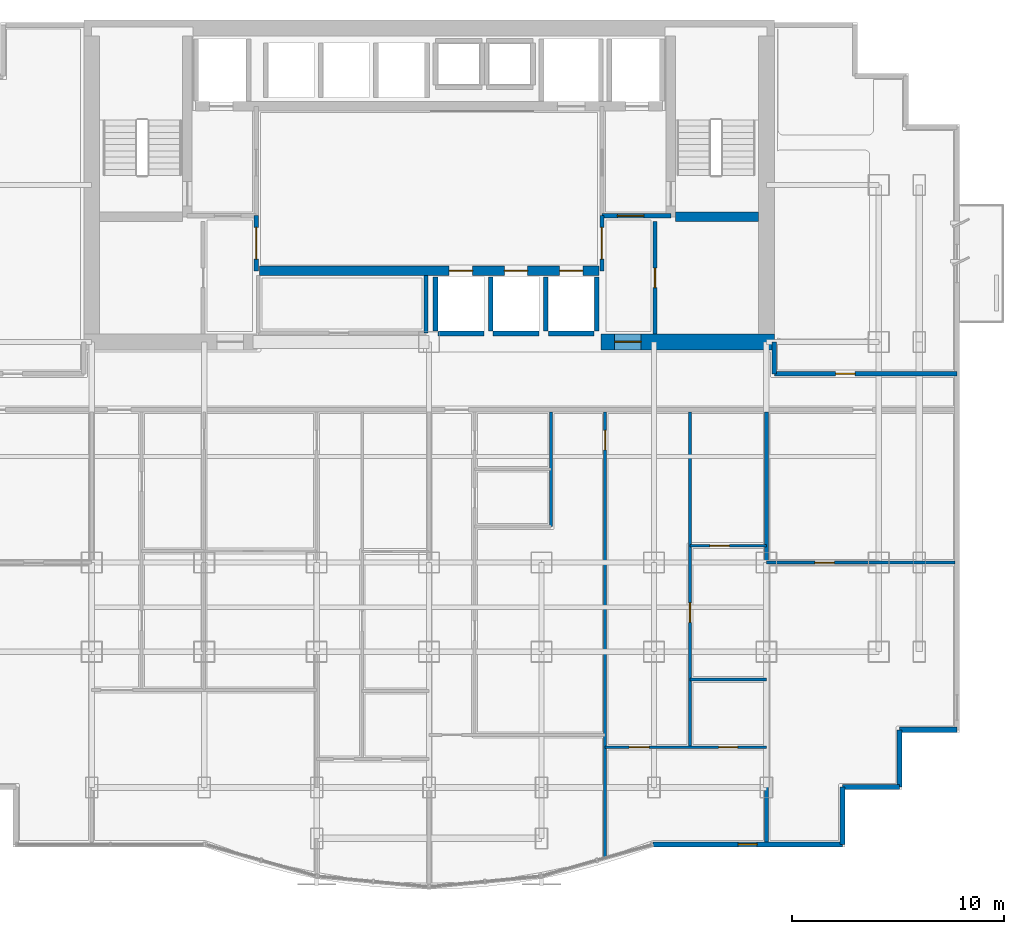
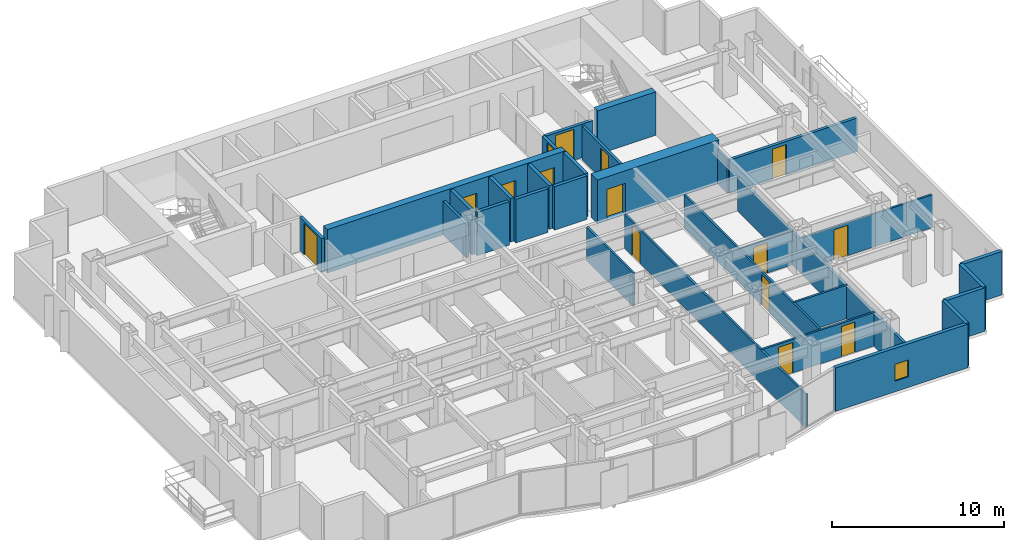
# One storey, part 6 of 10: 30 walls, 15 doors, 1 window, 16 openings.
"""IFC4 building model written with IfcOpenShell, lengths in metres."""

from ifc_helpers import new_model, si_unit, direction, frame, frame_2d, origin, place, context, subcontext, project, spatial, rectangle, extrude, material, layer, layer_set, type_object, element, fill, save


model = new_model("IFC4")

# Units and contexts
model_context = context("Model", 3, precision=1e-05, world=origin(), true_north=direction((0.0, 1.0)))
body_context = subcontext(model_context, "Body", "Model", "MODEL_VIEW")
ifc_project = project(units=[si_unit("LENGTHUNIT", "METRE"), si_unit("AREAUNIT", "SQUARE_METRE"), si_unit("VOLUMEUNIT", "CUBIC_METRE"), si_unit("PLANEANGLEUNIT", "RADIAN"), si_unit("MASSUNIT", "GRAM", prefix="KILO")], contexts=[model_context])

# Site, building, storey
site_placement = place(None, origin())
site = spatial("IfcSite", under=ifc_project, at=site_placement, CompositionType="ELEMENT")
building_placement = place(site_placement, origin())
building = spatial("IfcBuilding", under=site, at=building_placement, Name="Qianlan Lanfeng Residences", CompositionType="ELEMENT")
storey_placement = place(building_placement, frame((0.0, 0.0, 98.199951171875)))
storey = spatial("IfcBuildingStorey", under=building, at=storey_placement, Name="L26", CompositionType="ELEMENT", Elevation=98.199951171875)

# Wall
ifc_material_1 = material(Name="Concrete C60", Category="concrete")
ifc_layer_1 = layer(ifc_material_1, 0.449951171875)
ifc_layer_set_1 = layer_set([ifc_layer_1], Name="Concrete C60")
wall_type_1 = type_object("IfcWallType", Name="CW-RC-450", PredefinedType="SHEAR", material=ifc_layer_set_1)
wall_1_placement = place(storey_placement, frame((38.125, 31.10009765625, 0.0), z_axis=(0.0, 0.0, 1.0), x_axis=(1.0, 0.0, 0.0)))
element("IfcWall", 1, at=wall_1_placement, inside=storey, type_object=wall_type_1, Name="L26 Core Shear Wall ST2S", PredefinedType="SHEAR", context=body_context, shape_type="SweptSolid", body=[
    extrude(rectangle(XDim=3.89990234375, YDim=0.449951171875, at=frame_2d((1.949951171875, 0.0))), origin(), (0.0, 0.0, 1.0), 3.090087890625),
])

# Wall, openings, doors
wall_2_placement = place(storey_placement, frame((18.5, 28.550048828125, 0.0), z_axis=(0.0, 0.0, 1.0), x_axis=(1.0, 0.0, 0.0)))
wall_2 = element("IfcWall", 2, at=wall_2_placement, inside=storey, type_object=wall_type_1, Name="L26 Core Shear Wall LBS", PredefinedType="SHEAR", context=body_context, shape_type="SweptSolid", body=[
    extrude(rectangle(XDim=16.0, YDim=0.449951171875, at=frame_2d((8.0, 0.0))), origin(), (0.0, 0.0, 1.0), 3.090087890625),
])
opening_1_placement = place(wall_2_placement, frame((8.949951171875, 0.0, 0.0)))
opening_1 = element("IfcOpeningElement", 3, at=opening_1_placement, cuts=wall_2, Name="Opening L26-LD-PL-M1", PredefinedType="OPENING", context=body_context, shape_type="SweptSolid", body=[
    extrude(rectangle(XDim=1.10009765625, YDim=2.14990234375, at=frame_2d((0.550048828125, 1.074951171875))), frame((0.0, 0.23486328125, 0.0), z_axis=(0.0, -1.0, 0.0), x_axis=(1.0, 0.0, 0.0)), (0.0, 0.0, 1.0), 0.469970703125),
])
opening_2_placement = place(wall_2_placement, frame((11.550048828125, 0.0, 0.0)))
opening_2 = element("IfcOpeningElement", 4, at=opening_2_placement, cuts=wall_2, Name="Opening L26-LD-PL-M2", PredefinedType="OPENING", context=body_context, shape_type="SweptSolid", body=[
    extrude(rectangle(XDim=1.10009765625, YDim=2.14990234375, at=frame_2d((0.550048828125, 1.074951171875))), frame((0.0, 0.23486328125, 0.0), z_axis=(0.0, -1.0, 0.0), x_axis=(1.0, 0.0, 0.0)), (0.0, 0.0, 1.0), 0.469970703125),
])
opening_3_placement = place(wall_2_placement, frame((14.14990234375, 0.0, 0.0)))
opening_3 = element("IfcOpeningElement", 5, at=opening_3_placement, cuts=wall_2, Name="Opening L26-LD-PL-M3", PredefinedType="OPENING", context=body_context, shape_type="SweptSolid", body=[
    extrude(rectangle(XDim=1.10009765625, YDim=2.14990234375, at=frame_2d((0.550048828125, 1.074951171875))), frame((0.0, 0.23486328125, 0.0), z_axis=(0.0, -1.0, 0.0), x_axis=(1.0, 0.0, 0.0)), (0.0, 0.0, 1.0), 0.469970703125),
])
ifc_material_2 = material(Name="Brushed Stainless Steel Sliding Lift Door", Category="steel")
door_type_1 = type_object("IfcDoorType", Name="LD-01", OperationType="NOTDEFINED", PredefinedType="DOOR", material=ifc_material_2)
door_1_placement = place(opening_1_placement, origin())
door_1 = element("IfcDoor", 6, at=door_1_placement, inside=storey, type_object=door_type_1, Name="L26 Elevator PL-M1 Sliding Landing Door", OperationType="DOUBLE_DOOR_SLIDING", OverallHeight=2.14990234375, OverallWidth=1.10009765625, PredefinedType="DOOR", context=body_context, shape_type="SweptSolid", body=[
    extrude(rectangle(XDim=1.10009765625, YDim=2.14990234375, at=frame_2d((0.550048828125, 1.074951171875))), frame((0.0, 0.02490234375, 0.0), z_axis=(0.0, -1.0, 0.0), x_axis=(1.0, 0.0, 0.0)), (0.0, 0.0, 1.0), 0.050048828125),
])
fill(opening_1, door_1)
door_2_placement = place(opening_2_placement, origin())
door_2 = element("IfcDoor", 7, at=door_2_placement, inside=storey, type_object=door_type_1, Name="L26 Elevator PL-M2 Sliding Landing Door", OperationType="DOUBLE_DOOR_SLIDING", OverallHeight=2.14990234375, OverallWidth=1.10009765625, PredefinedType="DOOR", context=body_context, shape_type="SweptSolid", body=[
    extrude(rectangle(XDim=1.10009765625, YDim=2.14990234375, at=frame_2d((0.550048828125, 1.074951171875))), frame((0.0, 0.02490234375, 0.0), z_axis=(0.0, -1.0, 0.0), x_axis=(1.0, 0.0, 0.0)), (0.0, 0.0, 1.0), 0.050048828125),
])
fill(opening_2, door_2)
door_3_placement = place(opening_3_placement, origin())
door_3 = element("IfcDoor", 8, at=door_3_placement, inside=storey, type_object=door_type_1, Name="L26 Elevator PL-M3 Sliding Landing Door", OperationType="DOUBLE_DOOR_SLIDING", OverallHeight=2.14990234375, OverallWidth=1.10009765625, PredefinedType="DOOR", context=body_context, shape_type="SweptSolid", body=[
    extrude(rectangle(XDim=1.10009765625, YDim=2.14990234375, at=frame_2d((0.550048828125, 1.074951171875))), frame((0.0, 0.02490234375, 0.0), z_axis=(0.0, -1.0, 0.0), x_axis=(1.0, 0.0, 0.0)), (0.0, 0.0, 1.0), 0.050048828125),
])
fill(opening_3, door_3)

# Wall, opening, door
ifc_layer_2 = layer(ifc_material_1, 0.75)
ifc_layer_set_2 = layer_set([ifc_layer_2], Name="Concrete C60")
wall_type_2 = type_object("IfcWallType", Name="CW-RC-750", PredefinedType="SHEAR", material=ifc_layer_set_2)
wall_3_placement = place(storey_placement, frame((34.60009765625, 25.199951171875, 0.0), z_axis=(0.0, 0.0, 1.0), x_axis=(1.0, 0.0, 0.0)))
wall_3 = element("IfcWall", 9, at=wall_3_placement, inside=storey, type_object=wall_type_2, Name="L26 Core Shear Wall SE", PredefinedType="SHEAR", context=body_context, shape_type="SweptSolid", body=[
    extrude(rectangle(XDim=8.1748046875, YDim=0.75, at=frame_2d((4.08740234375, 0.0))), origin(), (0.0, 0.0, 1.0), 3.090087890625),
])
opening_4_placement = place(wall_3_placement, frame((0.64990234375, 0.0, 0.0)))
opening_4 = element("IfcOpeningElement", 10, at=opening_4_placement, cuts=wall_3, Name="Opening L26-D02", PredefinedType="OPENING", context=body_context, shape_type="SweptSolid", body=[
    extrude(rectangle(XDim=1.25, YDim=2.199951171875, at=frame_2d((0.625, 1.10009765625))), frame((0.0, 0.385009765625, 0.0), z_axis=(0.0, -1.0, 0.0), x_axis=(1.0, 0.0, 0.0)), (0.0, 0.0, 1.0), 0.77001953125),
])
ifc_material_3 = material(Name="Painted Galvanised Steel Fire Door", Category="steel")
door_type_2 = type_object("IfcDoorType", Name="DT-FFL", OperationType="NOTDEFINED", PredefinedType="DOOR", material=ifc_material_3)
door_4_placement = place(opening_4_placement, frame((1.25, 0.0, 0.0), z_axis=(0.0, 0.0, 1.0), x_axis=(-1.0, 0.0, 0.0)))
door_4 = element("IfcDoor", 11, at=door_4_placement, inside=storey, type_object=door_type_2, Name="L26 East Core Lobby Smoke Door L26-D02 (DT-FFL)", OperationType="SINGLE_SWING_LEFT", OverallHeight=2.199951171875, OverallWidth=1.25, PredefinedType="DOOR", context=body_context, shape_type="SweptSolid", body=[
    extrude(rectangle(XDim=1.25, YDim=2.199951171875, at=frame_2d((0.625, 1.10009765625))), frame((0.0, 0.02490234375, 0.0), z_axis=(0.0, -1.0, 0.0), x_axis=(1.0, 0.0, 0.0)), (0.0, 0.0, 1.0), 0.050048828125),
])
fill(opening_4, door_4)

# Wall, opening, window
ifc_material_4 = material(Name="Concrete C42", Category="concrete")
ifc_layer_3 = layer(ifc_material_4, 0.239990234375)
ifc_layer_set_3 = layer_set([ifc_layer_3], Name="Concrete C42")
wall_type_3 = type_object("IfcWallType", Name="EW-240", PredefinedType="SOLIDWALL", material=ifc_layer_set_3)
wall_4_placement = place(storey_placement, frame((37.05908203125, 1.52001953125, 0.0), z_axis=(0.0, 0.0, 1.0), x_axis=(1.0, 0.0, 0.0)))
wall_4 = element("IfcWall", 12, at=wall_4_placement, inside=storey, type_object=wall_type_3, Name="L26 Exterior Facade Spandrel Wall 5", PredefinedType="SOLIDWALL", context=body_context, shape_type="SweptSolid", body=[
    extrude(rectangle(XDim=8.9208984375, YDim=0.239990234375, at=frame_2d((4.46044921875, 0.0))), origin(), (0.0, 0.0, 1.0), 3.090087890625),
])
opening_5_placement = place(wall_4_placement, frame((4.010009765625, 0.0, 0.75)))
opening_5 = element("IfcOpeningElement", 13, at=opening_5_placement, cuts=wall_4, Name="Opening W-04", PredefinedType="OPENING", context=body_context, shape_type="SweptSolid", body=[
    extrude(rectangle(XDim=0.89990234375, YDim=1.199951171875, at=frame_2d((0.449951171875, 0.60009765625))), frame((0.0, 0.1298828125, 0.0), z_axis=(0.0, -1.0, 0.0), x_axis=(1.0, 0.0, 0.0)), (0.0, 0.0, 1.0), 0.260009765625),
])
ifc_material_5 = material(Name="Anodised Bronze Aluminium Framed Double Glazing", Category="aluminium")
window_type = type_object("IfcWindowType", Name="W-04", PartitioningType="SINGLE_PANEL", PredefinedType="WINDOW", material=ifc_material_5)
window_placement = place(opening_5_placement, origin())
window = element("IfcWindow", 14, at=window_placement, inside=storey, type_object=window_type, Name="L26 Facade Punched Window W-04", OverallHeight=1.199951171875, OverallWidth=0.89990234375, PartitioningType="SINGLE_PANEL", PredefinedType="WINDOW", context=body_context, shape_type="SweptSolid", body=[
    extrude(rectangle(XDim=0.89990234375, YDim=1.199951171875, at=frame_2d((0.449951171875, 0.60009765625))), frame((0.0, 0.030029296875, 0.0), z_axis=(0.0, -1.0, 0.0), x_axis=(1.0, 0.0, 0.0)), (0.0, 0.0, 1.0), 0.06005859375),
])
fill(opening_5, window)

# Walls
for number, where, z_axis, x_axis, name in (
    (15, (45.97998046875, 1.52001953125, 0.0), (0.0, 0.0, 1.0), (0.0, 1.0, 0.0), "L26 Exterior Facade Spandrel Wall 6"),
    (16, (45.97998046875, 4.219970703125, 0.0), (0.0, 0.0, 1.0), (1.0, 0.0, 0.0), "L26 Exterior Facade Spandrel Wall 7"),
    (17, (48.679931640625, 4.219970703125, 0.0), (0.0, 0.0, 1.0), (0.0, 1.0, 0.0), "L26 Exterior Facade Spandrel Wall 8"),
    (18, (48.679931640625, 6.919921875, 0.0), (0.0, 0.0, 1.0), (1.0, 0.0, 0.0), "L26 Exterior Facade Spandrel Wall 9"),
):
    element("IfcWall", number, at=place(storey_placement, frame(where, z_axis=z_axis, x_axis=x_axis)), inside=storey, type_object=wall_type_3, Name=name, PredefinedType="SOLIDWALL", context=body_context, shape_type="SweptSolid", body=[
        extrude(rectangle(XDim=2.699951171875, YDim=0.239990234375, at=frame_2d((1.35009765625, 0.0))), origin(), (0.0, 0.0, 1.0), 3.090087890625),
    ])

# Wall, opening, door
ifc_material_6 = material(Name="Demountable Acoustic Framing Partition 110 mm")
ifc_layer_4 = layer(ifc_material_6, 0.110107421875)
ifc_layer_set_4 = layer_set([ifc_layer_4], Name="Demountable Acoustic Framing Partition 110 mm")
wall_type_4 = type_object("IfcWallType", Name="PW-110", PredefinedType="MOVABLE", material=ifc_layer_set_4)
wall_5_placement = place(storey_placement, frame((38.800048828125, 15.596923828125, 0.0), z_axis=(0.0, 0.0, 1.0), x_axis=(1.0, 0.0, 0.0)))
wall_5 = element("IfcWall", 19, at=wall_5_placement, inside=storey, type_object=wall_type_4, Name="L26 U02 Wardrobe Split", PredefinedType="MOVABLE", context=body_context, shape_type="SweptSolid", body=[
    extrude(rectangle(XDim=3.599853515625, YDim=0.110107421875, at=frame_2d((1.7998046875, 0.0))), origin(), (0.0, 0.0, 1.0), 2.380126953125),
])
opening_6_placement = place(wall_5_placement, frame((0.93994140625, 0.0, 0.0)))
opening_6 = element("IfcOpeningElement", 20, at=opening_6_placement, cuts=wall_5, Name="Opening L26-D34", PredefinedType="OPENING", context=body_context, shape_type="SweptSolid", body=[
    extrude(rectangle(XDim=0.919921875, YDim=2.14990234375, at=frame_2d((0.4599609375, 1.074951171875))), frame((0.0, 0.06494140625, 0.0), z_axis=(0.0, -1.0, 0.0), x_axis=(1.0, 0.0, 0.0)), (0.0, 0.0, 1.0), 0.130126953125),
])
ifc_material_7 = material(Name="Glazed Timber Kitchen/Study Door", Category="wood")
door_type_3 = type_object("IfcDoorType", Name="DT-INT", OperationType="NOTDEFINED", PredefinedType="DOOR", material=ifc_material_7)
door_5_placement = place(opening_6_placement, origin())
door_5 = element("IfcDoor", 21, at=door_5_placement, inside=storey, type_object=door_type_3, Name="L26 U02 Dressing Inner Door L26-D34 (DT-INT)", OperationType="SINGLE_SWING_LEFT", OverallHeight=2.14990234375, OverallWidth=0.919921875, PredefinedType="DOOR", context=body_context, shape_type="SweptSolid", body=[
    extrude(rectangle(XDim=0.919921875, YDim=2.14990234375, at=frame_2d((0.4599609375, 1.074951171875))), frame((0.0, 0.02490234375, 0.0), z_axis=(0.0, -1.0, 0.0), x_axis=(1.0, 0.0, 0.0)), (0.0, 0.0, 1.0), 0.050048828125),
])
fill(opening_6, door_5)

ifc_material_8 = material(Name="Moisture-Resistant Gypsum Partition 135 mm")
ifc_layer_5 = layer(ifc_material_8, 0.135009765625)
ifc_layer_set_5 = layer_set([ifc_layer_5], Name="Moisture-Resistant Gypsum Partition 135 mm")
wall_type_5 = type_object("IfcWallType", Name="PW-135", PredefinedType="PARTITIONING", material=ifc_layer_set_5)
wall_6_placement = place(storey_placement, frame((34.800048828125, 0.866943359375, 0.0), z_axis=(0.0, 0.0, 1.0), x_axis=(0.0, 1.0, 0.0)))
wall_6 = element("IfcWall", 22, at=wall_6_placement, inside=storey, type_object=wall_type_5, Name="L26 U02 Bay Spine Wall 1", PredefinedType="PARTITIONING", context=body_context, shape_type="SweptSolid", body=[
    extrude(rectangle(XDim=21.032958984375, YDim=0.135009765625, at=frame_2d((10.5166015625, 0.0))), origin(), (0.0, 0.0, 1.0), 2.380126953125),
])
opening_7_placement = place(wall_6_placement, frame((19.248046875, 0.0, 0.0)))
opening_7 = element("IfcOpeningElement", 23, at=opening_7_placement, cuts=wall_6, Name="Opening L26-D26", PredefinedType="OPENING", context=body_context, shape_type="SweptSolid", body=[
    extrude(rectangle(XDim=0.919921875, YDim=2.14990234375, at=frame_2d((0.4599609375, 1.074951171875))), frame((0.0, 0.07763671875, 0.0), z_axis=(0.0, -1.0, 0.0), x_axis=(1.0, 0.0, 0.0)), (0.0, 0.0, 1.0), 0.155029296875),
])
door_6_placement = place(opening_7_placement, origin())
door_6 = element("IfcDoor", 24, at=door_6_placement, inside=storey, type_object=door_type_3, Name="L26 U02 Internal Hall Door L26-D26 (DT-INT)", OperationType="SINGLE_SWING_LEFT", OverallHeight=2.14990234375, OverallWidth=0.919921875, PredefinedType="DOOR", context=body_context, shape_type="SweptSolid", body=[
    extrude(rectangle(XDim=0.919921875, YDim=2.14990234375, at=frame_2d((0.4599609375, 1.074951171875))), frame((0.0, 0.02490234375, 0.0), z_axis=(0.0, -1.0, 0.0), x_axis=(1.0, 0.0, 0.0)), (0.0, 0.0, 1.0), 0.050048828125),
])
fill(opening_7, door_6)

# Wall
wall_7_placement = place(storey_placement, frame((32.25, 16.5, 0.0), z_axis=(0.0, 0.0, 1.0), x_axis=(0.0, 1.0, 0.0)))
element("IfcWall", 25, at=wall_7_placement, inside=storey, type_object=wall_type_5, Name="L26 U02 Dining East Wall", PredefinedType="PARTITIONING", context=body_context, shape_type="SweptSolid", body=[
    extrude(rectangle(XDim=5.39990234375, YDim=0.135009765625, at=frame_2d((2.699951171875, 0.0))), origin(), (0.0, 0.0, 1.0), 2.380126953125),
])

# Wall, openings, doors
wall_8_placement = place(storey_placement, frame((34.800048828125, 6.093994140625, 0.0), z_axis=(0.0, 0.0, 1.0), x_axis=(1.0, 0.0, 0.0)))
wall_8 = element("IfcWall", 26, at=wall_8_placement, inside=storey, type_object=wall_type_5, Name="L26 U02 Master Bedroom North Wall", PredefinedType="PARTITIONING", context=body_context, shape_type="SweptSolid", body=[
    extrude(rectangle(XDim=7.599853515625, YDim=0.135009765625, at=frame_2d((3.7998046875, 0.0))), origin(), (0.0, 0.0, 1.0), 2.380126953125),
])
opening_8_placement = place(wall_8_placement, frame((1.125, 0.0, 0.0)))
opening_8 = element("IfcOpeningElement", 27, at=opening_8_placement, cuts=wall_8, Name="Opening L26-D31", PredefinedType="OPENING", context=body_context, shape_type="SweptSolid", body=[
    extrude(rectangle(XDim=0.949951171875, YDim=2.14990234375, at=frame_2d((0.47509765625, 1.074951171875))), frame((0.0, 0.07763671875, 0.0), z_axis=(0.0, -1.0, 0.0), x_axis=(1.0, 0.0, 0.0)), (0.0, 0.0, 1.0), 0.155029296875),
])
opening_9_placement = place(wall_8_placement, frame((5.35009765625, 0.0, 0.0)))
opening_9 = element("IfcOpeningElement", 28, at=opening_9_placement, cuts=wall_8, Name="Opening L26-D32", PredefinedType="OPENING", context=body_context, shape_type="SweptSolid", body=[
    extrude(rectangle(XDim=0.89990234375, YDim=2.14990234375, at=frame_2d((0.449951171875, 1.074951171875))), frame((0.0, 0.07763671875, 0.0), z_axis=(0.0, -1.0, 0.0), x_axis=(1.0, 0.0, 0.0)), (0.0, 0.0, 1.0), 0.155029296875),
])
ifc_material_9 = material(Name="Painted Solid-Core Timber Leaf", Category="wood")
door_type_4 = type_object("IfcDoorType", Name="DT-BED", OperationType="NOTDEFINED", PredefinedType="DOOR", material=ifc_material_9)
door_7_placement = place(opening_8_placement, origin())
door_7 = element("IfcDoor", 29, at=door_7_placement, inside=storey, type_object=door_type_4, Name="L26 U02 Master Bedroom Door L26-D31 (DT-BED)", OperationType="SINGLE_SWING_RIGHT", OverallHeight=2.14990234375, OverallWidth=0.949951171875, PredefinedType="DOOR", context=body_context, shape_type="SweptSolid", body=[
    extrude(rectangle(XDim=0.949951171875, YDim=2.14990234375, at=frame_2d((0.47509765625, 1.074951171875))), frame((0.0, 0.02490234375, 0.0), z_axis=(0.0, -1.0, 0.0), x_axis=(1.0, 0.0, 0.0)), (0.0, 0.0, 1.0), 0.050048828125),
])
fill(opening_8, door_7)
ifc_material_10 = material(Name="Moisture-Resistant Timber Leaf", Category="wood")
door_type_5 = type_object("IfcDoorType", Name="DT-WC", OperationType="NOTDEFINED", PredefinedType="DOOR", material=ifc_material_10)
door_8_placement = place(opening_9_placement, origin())
door_8 = element("IfcDoor", 30, at=door_8_placement, inside=storey, type_object=door_type_5, Name="L26 U02 En-Suite Bathroom Door L26-D32 (DT-WC)", OperationType="SINGLE_SWING_LEFT", OverallHeight=2.14990234375, OverallWidth=0.89990234375, PredefinedType="DOOR", context=body_context, shape_type="SweptSolid", body=[
    extrude(rectangle(XDim=0.89990234375, YDim=2.14990234375, at=frame_2d((0.449951171875, 1.074951171875))), frame((0.0, 0.02490234375, 0.0), z_axis=(0.0, -1.0, 0.0), x_axis=(1.0, 0.0, 0.0)), (0.0, 0.0, 1.0), 0.050048828125),
])
fill(opening_9, door_8)

# Wall, opening, door
wall_9_placement = place(storey_placement, frame((38.800048828125, 6.093994140625, 0.0), z_axis=(0.0, 0.0, 1.0), x_axis=(0.0, 1.0, 0.0)))
wall_9 = element("IfcWall", 31, at=wall_9_placement, inside=storey, type_object=wall_type_5, Name="L26 U02 Master Passage Wall", PredefinedType="PARTITIONING", context=body_context, shape_type="SweptSolid", body=[
    extrude(rectangle(XDim=15.805908203125, YDim=0.135009765625, at=frame_2d((7.90283203125, 0.0))), origin(), (0.0, 0.0, 1.0), 2.380126953125),
])
opening_10_placement = place(wall_9_placement, frame((5.89111328125, 0.0, 0.0)))
opening_10 = element("IfcOpeningElement", 32, at=opening_10_placement, cuts=wall_9, Name="Opening L26-D33", PredefinedType="OPENING", context=body_context, shape_type="SweptSolid", body=[
    extrude(rectangle(XDim=0.919921875, YDim=2.14990234375, at=frame_2d((0.4599609375, 1.074951171875))), frame((0.0, 0.07763671875, 0.0), z_axis=(0.0, -1.0, 0.0), x_axis=(1.0, 0.0, 0.0)), (0.0, 0.0, 1.0), 0.155029296875),
])
door_9_placement = place(opening_10_placement, origin())
door_9 = element("IfcDoor", 33, at=door_9_placement, inside=storey, type_object=door_type_3, Name="L26 U02 Wardrobe Door L26-D33 (DT-INT)", OperationType="SINGLE_SWING_RIGHT", OverallHeight=2.14990234375, OverallWidth=0.919921875, PredefinedType="DOOR", context=body_context, shape_type="SweptSolid", body=[
    extrude(rectangle(XDim=0.919921875, YDim=2.14990234375, at=frame_2d((0.4599609375, 1.074951171875))), frame((0.0, 0.02490234375, 0.0), z_axis=(0.0, -1.0, 0.0), x_axis=(1.0, 0.0, 0.0)), (0.0, 0.0, 1.0), 0.050048828125),
])
fill(opening_10, door_9)

# Wall
wall_10_placement = place(storey_placement, frame((38.800048828125, 9.2939453125, 0.0), z_axis=(0.0, 0.0, 1.0), x_axis=(1.0, 0.0, 0.0)))
element("IfcWall", 34, at=wall_10_placement, inside=storey, type_object=wall_type_5, Name="L26 U02 En-Suite North Wall", PredefinedType="PARTITIONING", context=body_context, shape_type="SweptSolid", body=[
    extrude(rectangle(XDim=3.599853515625, YDim=0.135009765625, at=frame_2d((1.7998046875, 0.0))), origin(), (0.0, 0.0, 1.0), 2.380126953125),
])

# Wall, opening, door
wall_11_placement = place(storey_placement, frame((42.39990234375, 14.800048828125, 0.0), z_axis=(0.0, 0.0, 1.0), x_axis=(1.0, 0.0, 0.0)))
wall_11 = element("IfcWall", 35, at=wall_11_placement, inside=storey, type_object=wall_type_5, Name="L26 SEP Mid Partition", PredefinedType="PARTITIONING", context=body_context, shape_type="SweptSolid", body=[
    extrude(rectangle(XDim=8.880126953125, YDim=0.135009765625, at=frame_2d((4.43994140625, 0.0))), origin(), (0.0, 0.0, 1.0), 2.3349609375),
])
opening_11_placement = place(wall_11_placement, frame((2.280029296875, 0.0, 0.0)))
opening_11 = element("IfcOpeningElement", 36, at=opening_11_placement, cuts=wall_11, Name="Opening L26-D37", PredefinedType="OPENING", context=body_context, shape_type="SweptSolid", body=[
    extrude(rectangle(XDim=0.919921875, YDim=2.14990234375, at=frame_2d((0.4599609375, 1.074951171875))), frame((0.0, 0.07763671875, 0.0), z_axis=(0.0, -1.0, 0.0), x_axis=(1.0, 0.0, 0.0)), (0.0, 0.0, 1.0), 0.155029296875),
])
door_10_placement = place(opening_11_placement, origin())
door_10 = element("IfcDoor", 37, at=door_10_placement, inside=storey, type_object=door_type_3, Name="L26 SEP Inner Door L26-D37 (DT-INT)", OperationType="SINGLE_SWING_RIGHT", OverallHeight=2.14990234375, OverallWidth=0.919921875, PredefinedType="DOOR", context=body_context, shape_type="SweptSolid", body=[
    extrude(rectangle(XDim=0.919921875, YDim=2.14990234375, at=frame_2d((0.4599609375, 1.074951171875))), frame((0.0, 0.02490234375, 0.0), z_axis=(0.0, -1.0, 0.0), x_axis=(1.0, 0.0, 0.0)), (0.0, 0.0, 1.0), 0.050048828125),
])
fill(opening_11, door_10)

ifc_material_11 = material(Name="Double-Layer Acoustic Gypsum Stud Wall 180 mm")
ifc_layer_6 = layer(ifc_material_11, 0.179931640625)
ifc_layer_set_6 = layer_set([ifc_layer_6], Name="Double-Layer Acoustic Gypsum Stud Wall 180 mm")
wall_type_6 = type_object("IfcWallType", Name="PW-180", PredefinedType="PARTITIONING", material=ifc_layer_set_6)
wall_12_placement = place(storey_placement, frame((37.14990234375, 25.574951171875, 0.0), z_axis=(0.0, 0.0, 1.0), x_axis=(0.0, 1.0, 0.0)))
wall_12 = element("IfcWall", 38, at=wall_12_placement, inside=storey, type_object=wall_type_6, Name="L26 Core East Service Room Wall", PredefinedType="PARTITIONING", context=body_context, shape_type="SweptSolid", body=[
    extrude(rectangle(XDim=5.300048828125, YDim=0.179931640625, at=frame_2d((2.64990234375, 0.0))), origin(), (0.0, 0.0, 1.0), 2.380126953125),
])
opening_12_placement = place(wall_12_placement, frame((2.18994140625, 0.0, 0.0)))
opening_12 = element("IfcOpeningElement", 39, at=opening_12_placement, cuts=wall_12, Name="Opening L26-D10", PredefinedType="OPENING", context=body_context, shape_type="SweptSolid", body=[
    extrude(rectangle(XDim=0.919921875, YDim=2.14990234375, at=frame_2d((0.4599609375, 1.074951171875))), frame((0.0, 0.10009765625, 0.0), z_axis=(0.0, -1.0, 0.0), x_axis=(1.0, 0.0, 0.0)), (0.0, 0.0, 1.0), 0.199951171875),
])
door_11_placement = place(opening_12_placement, origin())
door_11 = element("IfcDoor", 40, at=door_11_placement, inside=storey, type_object=door_type_3, Name="L26 Refuse Recycling Door L26-D10 (DT-INT)", OperationType="SINGLE_SWING_LEFT", OverallHeight=2.14990234375, OverallWidth=0.919921875, PredefinedType="DOOR", context=body_context, shape_type="SweptSolid", body=[
    extrude(rectangle(XDim=0.919921875, YDim=2.14990234375, at=frame_2d((0.4599609375, 1.074951171875))), frame((0.0, 0.02490234375, 0.0), z_axis=(0.0, -1.0, 0.0), x_axis=(1.0, 0.0, 0.0)), (0.0, 0.0, 1.0), 0.050048828125),
])
fill(opening_12, door_11)

# Walls
wall_13_placement = place(storey_placement, frame((26.35009765625, 25.6201171875, 0.0), z_axis=(0.0, 0.0, 1.0), x_axis=(0.0, 1.0, 0.0)))
element("IfcWall", 41, at=wall_13_placement, inside=storey, type_object=wall_type_6, Name="L26 Reclaimed Low-Bank Room East Wall", PredefinedType="PARTITIONING", context=body_context, shape_type="SweptSolid", body=[
    extrude(rectangle(XDim=2.704833984375, YDim=0.179931640625, at=frame_2d((1.3525390625, 0.0))), origin(), (0.0, 0.0, 1.0), 2.380126953125),
])
wall_14_placement = place(storey_placement, frame((42.39990234375, 1.6201171875, 0.0), z_axis=(0.0, 0.0, 1.0), x_axis=(0.0, 1.0, 0.0)))
element("IfcWall", 42, at=wall_14_placement, inside=storey, type_object=wall_type_6, Name="L26 Wing Boundary Party Wall E0", PredefinedType="PARTITIONING", context=body_context, shape_type="SweptSolid", body=[
    extrude(rectangle(XDim=20.27978515625, YDim=0.179931640625, at=frame_2d((10.139892578125, 0.0))), origin(), (0.0, 0.0, 1.0), 2.3349609375),
])

# Wall, opening, door
ifc_material_12 = material(Name="Autoclaved Aerated Concrete Blockwork 200 mm", Category="masonry")
ifc_layer_7 = layer(ifc_material_12, 0.199951171875)
ifc_layer_set_7 = layer_set([ifc_layer_7], Name="Autoclaved Aerated Concrete Blockwork 200 mm")
wall_type_7 = type_object("IfcWallType", Name="PW-200", PredefinedType="PARTITIONING", material=ifc_layer_set_7)
wall_15_placement = place(storey_placement, frame((34.64990234375, 31.14990234375, 0.0), z_axis=(0.0, 0.0, 1.0), x_axis=(1.0, 0.0, 0.0)))
wall_15 = element("IfcWall", 43, at=wall_15_placement, inside=storey, type_object=wall_type_7, Name="L26 Firefighting Lobby 2 South Wall", PredefinedType="PARTITIONING", context=body_context, shape_type="SweptSolid", body=[
    extrude(rectangle(XDim=3.25, YDim=0.199951171875, at=frame_2d((1.625, 0.0))), origin(), (0.0, 0.0, 1.0), 2.380126953125),
])
opening_13_placement = place(wall_15_placement, frame((0.72509765625, 0.0, 0.0)))
opening_13 = element("IfcOpeningElement", 44, at=opening_13_placement, cuts=wall_15, Name="Opening L26-D05", PredefinedType="OPENING", context=body_context, shape_type="SweptSolid", body=[
    extrude(rectangle(XDim=1.25, YDim=2.199951171875, at=frame_2d((0.625, 1.10009765625))), frame((0.0, 0.10986328125, 0.0), z_axis=(0.0, -1.0, 0.0), x_axis=(1.0, 0.0, 0.0)), (0.0, 0.0, 1.0), 0.219970703125),
])
door_12_placement = place(opening_13_placement, origin())
door_12 = element("IfcDoor", 45, at=door_12_placement, inside=storey, type_object=door_type_2, Name="L26 Firefighting Lobby 2 Entry Door L26-D05 (DT-FFL)", OperationType="SINGLE_SWING_RIGHT", OverallHeight=2.199951171875, OverallWidth=1.25, PredefinedType="DOOR", context=body_context, shape_type="SweptSolid", body=[
    extrude(rectangle(XDim=1.25, YDim=2.199951171875, at=frame_2d((0.625, 1.10009765625))), frame((0.0, 0.02490234375, 0.0), z_axis=(0.0, -1.0, 0.0), x_axis=(1.0, 0.0, 0.0)), (0.0, 0.0, 1.0), 0.050048828125),
])
fill(opening_13, door_12)

wall_16_placement = place(storey_placement, frame((18.35009765625, 28.550048828125, 0.0), z_axis=(0.0, 0.0, 1.0), x_axis=(0.0, 1.0, 0.0)))
wall_16 = element("IfcWall", 46, at=wall_16_placement, inside=storey, type_object=wall_type_7, Name="L26 Lift Lobby West Connector Wall", PredefinedType="PARTITIONING", context=body_context, shape_type="SweptSolid", body=[
    extrude(rectangle(XDim=2.599853515625, YDim=0.199951171875, at=frame_2d((1.2998046875, 0.0))), origin(), (0.0, 0.0, 1.0), 2.380126953125),
])
opening_14_placement = place(wall_16_placement, frame((0.550048828125, 0.0, 0.0)))
opening_14 = element("IfcOpeningElement", 47, at=opening_14_placement, cuts=wall_16, Name="Opening L26-D11", PredefinedType="OPENING", context=body_context, shape_type="SweptSolid", body=[
    extrude(rectangle(XDim=1.5, YDim=2.25, at=frame_2d((0.75, 1.125))), frame((0.0, 0.10986328125, 0.0), z_axis=(0.0, -1.0, 0.0), x_axis=(1.0, 0.0, 0.0)), (0.0, 0.0, 1.0), 0.219970703125),
])
ifc_material_13 = material(Name="Timber Veneer Acoustic Fire Door", Category="wood")
door_type_6 = type_object("IfcDoorType", Name="DT-COR1", OperationType="NOTDEFINED", PredefinedType="DOOR", material=ifc_material_13)
door_13_placement = place(opening_14_placement, origin())
door_13 = element("IfcDoor", 48, at=door_13_placement, inside=storey, type_object=door_type_6, Name="L26 Lift Lobby West Portal Door L26-D11 (DT-COR1)", OperationType="DOUBLE_DOOR_SINGLE_SWING", OverallHeight=2.25, OverallWidth=1.5, PredefinedType="DOOR", context=body_context, shape_type="SweptSolid", body=[
    extrude(rectangle(XDim=1.5, YDim=2.25, at=frame_2d((0.75, 1.125))), frame((0.0, 0.02490234375, 0.0), z_axis=(0.0, -1.0, 0.0), x_axis=(1.0, 0.0, 0.0)), (0.0, 0.0, 1.0), 0.050048828125),
])
fill(opening_14, door_13)

wall_17_placement = place(storey_placement, frame((34.64990234375, 28.550048828125, 0.0), z_axis=(0.0, 0.0, 1.0), x_axis=(0.0, 1.0, 0.0)))
wall_17 = element("IfcWall", 49, at=wall_17_placement, inside=storey, type_object=wall_type_7, Name="L26 Lift Lobby East Connector Wall", PredefinedType="PARTITIONING", context=body_context, shape_type="SweptSolid", body=[
    extrude(rectangle(XDim=2.599853515625, YDim=0.199951171875, at=frame_2d((1.2998046875, 0.0))), origin(), (0.0, 0.0, 1.0), 2.380126953125),
])
opening_15_placement = place(wall_17_placement, frame((0.550048828125, 0.0, 0.0)))
opening_15 = element("IfcOpeningElement", 50, at=opening_15_placement, cuts=wall_17, Name="Opening L26-D12", PredefinedType="OPENING", context=body_context, shape_type="SweptSolid", body=[
    extrude(rectangle(XDim=1.5, YDim=2.25, at=frame_2d((0.75, 1.125))), frame((0.0, 0.10986328125, 0.0), z_axis=(0.0, -1.0, 0.0), x_axis=(1.0, 0.0, 0.0)), (0.0, 0.0, 1.0), 0.219970703125),
])
door_14_placement = place(opening_15_placement, frame((1.5, 0.0, 0.0), z_axis=(0.0, 0.0, 1.0), x_axis=(-1.0, 0.0, 0.0)))
door_14 = element("IfcDoor", 51, at=door_14_placement, inside=storey, type_object=door_type_6, Name="L26 Lift Lobby East Portal Door L26-D12 (DT-COR1)", OperationType="DOUBLE_DOOR_SINGLE_SWING", OverallHeight=2.25, OverallWidth=1.5, PredefinedType="DOOR", context=body_context, shape_type="SweptSolid", body=[
    extrude(rectangle(XDim=1.5, YDim=2.25, at=frame_2d((0.75, 1.125))), frame((0.0, 0.02490234375, 0.0), z_axis=(0.0, -1.0, 0.0), x_axis=(1.0, 0.0, 0.0)), (0.0, 0.0, 1.0), 0.050048828125),
])
fill(opening_15, door_14)

wall_18_placement = place(storey_placement, frame((42.77490234375, 23.699951171875, 0.0), z_axis=(0.0, 0.0, 1.0), x_axis=(1.0, 0.0, 0.0)))
wall_18 = element("IfcWall", 52, at=wall_18_placement, inside=storey, type_object=wall_type_7, Name="L26 Corridor NE Wall", PredefinedType="PARTITIONING", context=body_context, shape_type="SweptSolid", body=[
    extrude(rectangle(XDim=8.60498046875, YDim=0.199951171875, at=frame_2d((4.302490234375, 0.0))), origin(), (0.0, 0.0, 1.0), 2.380126953125),
])
opening_16_placement = place(wall_18_placement, frame((2.89306640625, 0.0, 0.0)))
opening_16 = element("IfcOpeningElement", 53, at=opening_16_placement, cuts=wall_18, Name="Opening L26-D40", PredefinedType="OPENING", context=body_context, shape_type="SweptSolid", body=[
    extrude(rectangle(XDim=0.919921875, YDim=2.14990234375, at=frame_2d((0.4599609375, 1.074951171875))), frame((0.0, 0.10986328125, 0.0), z_axis=(0.0, -1.0, 0.0), x_axis=(1.0, 0.0, 0.0)), (0.0, 0.0, 1.0), 0.219970703125),
])
door_15_placement = place(opening_16_placement, origin())
door_15 = element("IfcDoor", 54, at=door_15_placement, inside=storey, type_object=door_type_3, Name="L26 EW Amenity Salon Door L26-D40 (DT-INT)", OperationType="SINGLE_SWING_LEFT", OverallHeight=2.14990234375, OverallWidth=0.919921875, PredefinedType="DOOR", context=body_context, shape_type="SweptSolid", body=[
    extrude(rectangle(XDim=0.919921875, YDim=2.14990234375, at=frame_2d((0.4599609375, 1.074951171875))), frame((0.0, 0.02490234375, 0.0), z_axis=(0.0, -1.0, 0.0), x_axis=(1.0, 0.0, 0.0)), (0.0, 0.0, 1.0), 0.050048828125),
])
fill(opening_16, door_15)

# Walls
wall_19_placement = place(storey_placement, frame((42.77490234375, 23.699951171875, 0.0), z_axis=(0.0, 0.0, 1.0), x_axis=(0.0, 1.0, 0.0)))
element("IfcWall", 55, at=wall_19_placement, inside=storey, type_object=wall_type_7, Name="L26 NE Wing Core Return Wall", PredefinedType="PARTITIONING", context=body_context, shape_type="SweptSolid", body=[
    extrude(rectangle(XDim=1.5, YDim=0.199951171875, at=frame_2d((0.75, 0.0))), origin(), (0.0, 0.0, 1.0), 2.380126953125),
])
ifc_material_14 = material(Name="Concrete C49", Category="concrete")
ifc_layer_8 = layer(ifc_material_14, 0.219970703125)
ifc_layer_set_8 = layer_set([ifc_layer_8], Name="Concrete C49")
wall_type_8 = type_object("IfcWallType", Name="SHW-220", PredefinedType="SOLIDWALL", material=ifc_layer_set_8)
wall_20_placement = place(storey_placement, frame((26.800048828125, 25.719970703125, 0.0), z_axis=(0.0, 0.0, 1.0), x_axis=(0.0, 1.0, 0.0)))
element("IfcWall", 56, at=wall_20_placement, inside=storey, type_object=wall_type_8, Name="L26 Lift PL-M1 Shaft Wall W", PredefinedType="SOLIDWALL", context=body_context, shape_type="SweptSolid", body=[
    extrude(rectangle(XDim=2.530029296875, YDim=0.219970703125, at=frame_2d((1.26513671875, 0.0))), origin(), (0.0, 0.0, 1.0), 3.090087890625),
])
wall_21_placement = place(storey_placement, frame((26.919921875, 25.60009765625, 0.0), z_axis=(0.0, 0.0, 1.0), x_axis=(1.0, 0.0, 0.0)))
element("IfcWall", 57, at=wall_21_placement, inside=storey, type_object=wall_type_8, Name="L26 Lift PL-M1 Shaft Back Wall S", PredefinedType="SOLIDWALL", context=body_context, shape_type="SweptSolid", body=[
    extrude(rectangle(XDim=2.16015625, YDim=0.219970703125, at=frame_2d((1.080078125, 0.0))), origin(), (0.0, 0.0, 1.0), 3.090087890625),
])
wall_22_placement = place(storey_placement, frame((29.39990234375, 25.719970703125, 0.0), z_axis=(0.0, 0.0, 1.0), x_axis=(0.0, 1.0, 0.0)))
element("IfcWall", 58, at=wall_22_placement, inside=storey, type_object=wall_type_8, Name="L26 Lift PL-M2 Shaft Wall W", PredefinedType="SOLIDWALL", context=body_context, shape_type="SweptSolid", body=[
    extrude(rectangle(XDim=2.530029296875, YDim=0.219970703125, at=frame_2d((1.26513671875, 0.0))), origin(), (0.0, 0.0, 1.0), 3.090087890625),
])
wall_23_placement = place(storey_placement, frame((29.52001953125, 25.60009765625, 0.0), z_axis=(0.0, 0.0, 1.0), x_axis=(1.0, 0.0, 0.0)))
element("IfcWall", 59, at=wall_23_placement, inside=storey, type_object=wall_type_8, Name="L26 Lift PL-M2 Shaft Back Wall S", PredefinedType="SOLIDWALL", context=body_context, shape_type="SweptSolid", body=[
    extrude(rectangle(XDim=2.159912109375, YDim=0.219970703125, at=frame_2d((1.080078125, 0.0))), origin(), (0.0, 0.0, 1.0), 3.090087890625),
])
for number, where, z_axis, x_axis, name in (
    (60, (32.0, 25.719970703125, 0.0), (0.0, 0.0, 1.0), (0.0, 1.0, 0.0), "L26 Lift PL-M3 Shaft Wall W"),
    (61, (34.39990234375, 25.719970703125, 0.0), (0.0, 0.0, 1.0), (0.0, 1.0, 0.0), "L26 Lift PL-M3 Shaft Wall E"),
):
    element("IfcWall", number, at=place(storey_placement, frame(where, z_axis=z_axis, x_axis=x_axis)), inside=storey, type_object=wall_type_8, Name=name, PredefinedType="SOLIDWALL", context=body_context, shape_type="SweptSolid", body=[
        extrude(rectangle(XDim=2.530029296875, YDim=0.219970703125, at=frame_2d((1.26513671875, 0.0))), origin(), (0.0, 0.0, 1.0), 3.090087890625),
    ])
wall_24_placement = place(storey_placement, frame((32.1201171875, 25.60009765625, 0.0), z_axis=(0.0, 0.0, 1.0), x_axis=(1.0, 0.0, 0.0)))
element("IfcWall", 62, at=wall_24_placement, inside=storey, type_object=wall_type_8, Name="L26 Lift PL-M3 Shaft Back Wall S", PredefinedType="SOLIDWALL", context=body_context, shape_type="SweptSolid", body=[
    extrude(rectangle(XDim=2.159912109375, YDim=0.219970703125, at=frame_2d((1.080078125, 0.0))), origin(), (0.0, 0.0, 1.0), 3.090087890625),
])

save(model, "model.ifc")
